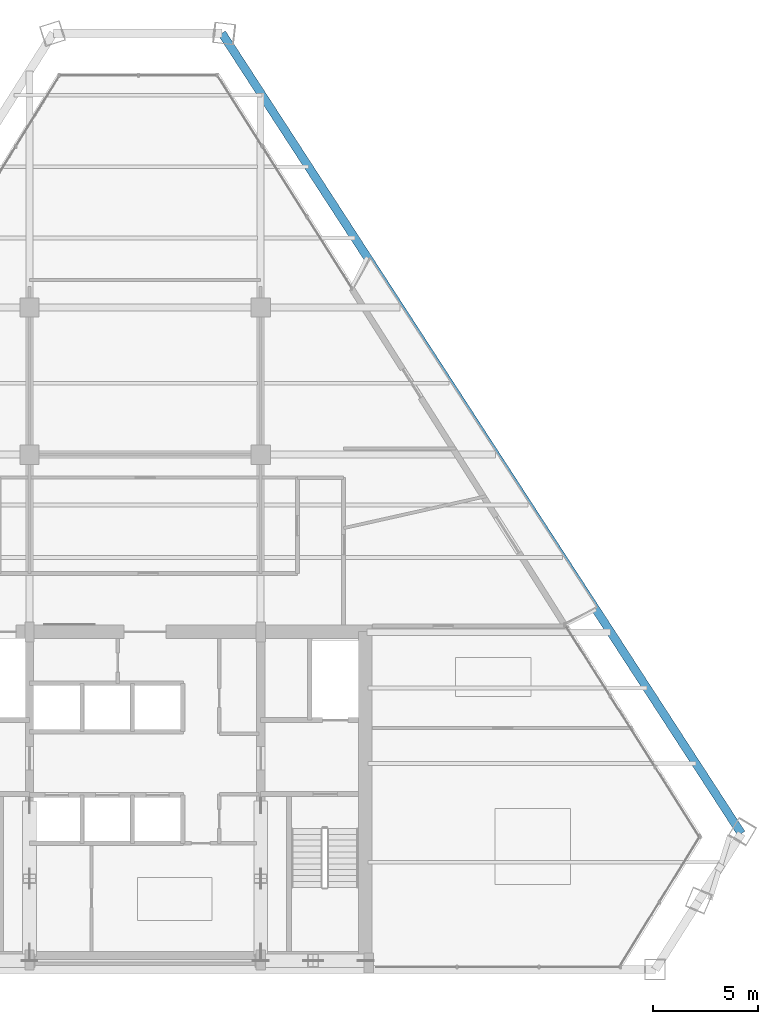
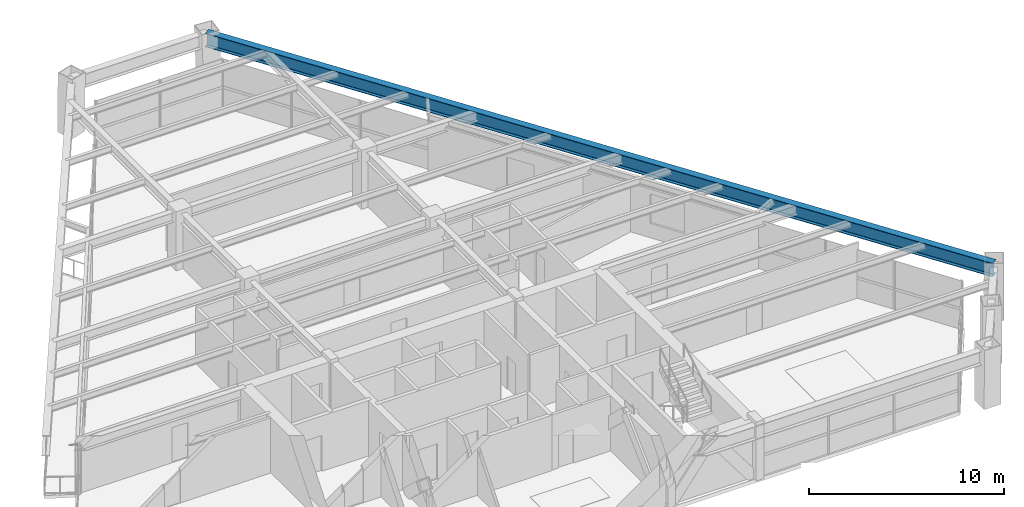
# One storey, part 7 of 15: 1 beam.
"""IFC4 building model written with IfcOpenShell, lengths in metres."""

from ifc_helpers import new_model, si_unit, direction, frame, origin, origin_2d, place, context, subcontext, project, spatial, i_section, extrude, source, transform, mapped, material, material_profile, profile_set, type_object, element, save


model = new_model("IFC4")

# Units and contexts
model_context = context("Model", 3, precision=1e-05, world=origin(), true_north=direction((0.0, 1.0)))
body_context = subcontext(model_context, "Body", "Model", "MODEL_VIEW")
ifc_project = project(units=[si_unit("LENGTHUNIT", "METRE"), si_unit("AREAUNIT", "SQUARE_METRE"), si_unit("VOLUMEUNIT", "CUBIC_METRE"), si_unit("PLANEANGLEUNIT", "RADIAN"), si_unit("MASSUNIT", "GRAM", prefix="KILO")], contexts=[model_context])

# Site, building, storey
site_placement = place(None, origin())
site = spatial("IfcSite", under=ifc_project, at=site_placement, CompositionType="ELEMENT")
building_placement = place(site_placement, origin())
building = spatial("IfcBuilding", under=site, at=building_placement, Name="Varnakhor Terracotta Tower", CompositionType="ELEMENT")
storey_placement = place(building_placement, frame((0.0, 0.0, 189.5)))
storey = spatial("IfcBuildingStorey", under=building, at=storey_placement, Name="L48", CompositionType="ELEMENT", Elevation=189.5)

# Beam
ifc_material = material(Name="Steel S355", Category="steel")
ifc_material_profile = material_profile(ifc_material, i_section(OverallWidth=0.39990234375, OverallDepth=0.85498046875, WebThickness=0.01806640625, FlangeThickness=0.029052734375, FilletRadius=0.01806640625, at=origin_2d()), Name="W33X201")
ifc_profile_set = profile_set([ifc_material_profile], Name="Steel S355")
beam_type = type_object("IfcBeamType", Name="BM-W33X201", PredefinedType="BEAM", material=ifc_profile_set)
shared_shape = source(origin(), body_context, "Body", "SweptSolid", [
    extrude(i_section(OverallWidth=0.39990234375, OverallDepth=0.85498046875, WebThickness=0.01806640625, FlangeThickness=0.029052734375, FilletRadius=0.01806640625, at=origin_2d()), origin(), (0.0, 0.0, 1.0), 45.399169921875),
])
beam_placement = place(storey_placement, frame((28.373046875, 6.47021484375, 3.04248046875), z_axis=(-0.544444988644, 0.838796551221, 0.0), x_axis=(-0.838796551221, -0.544444988644, 0.0)))
element("IfcBeam", 1, at=beam_placement, inside=storey, type_object=beam_type, Name="L48 Perimeter Spandrel 4", PredefinedType="BEAM", context=body_context, shape_type="MappedRepresentation", body=[
    mapped(shared_shape, transform((0.0, 0.0, 0.0), scale=1.0)),
])

save(model, "model.ifc")
